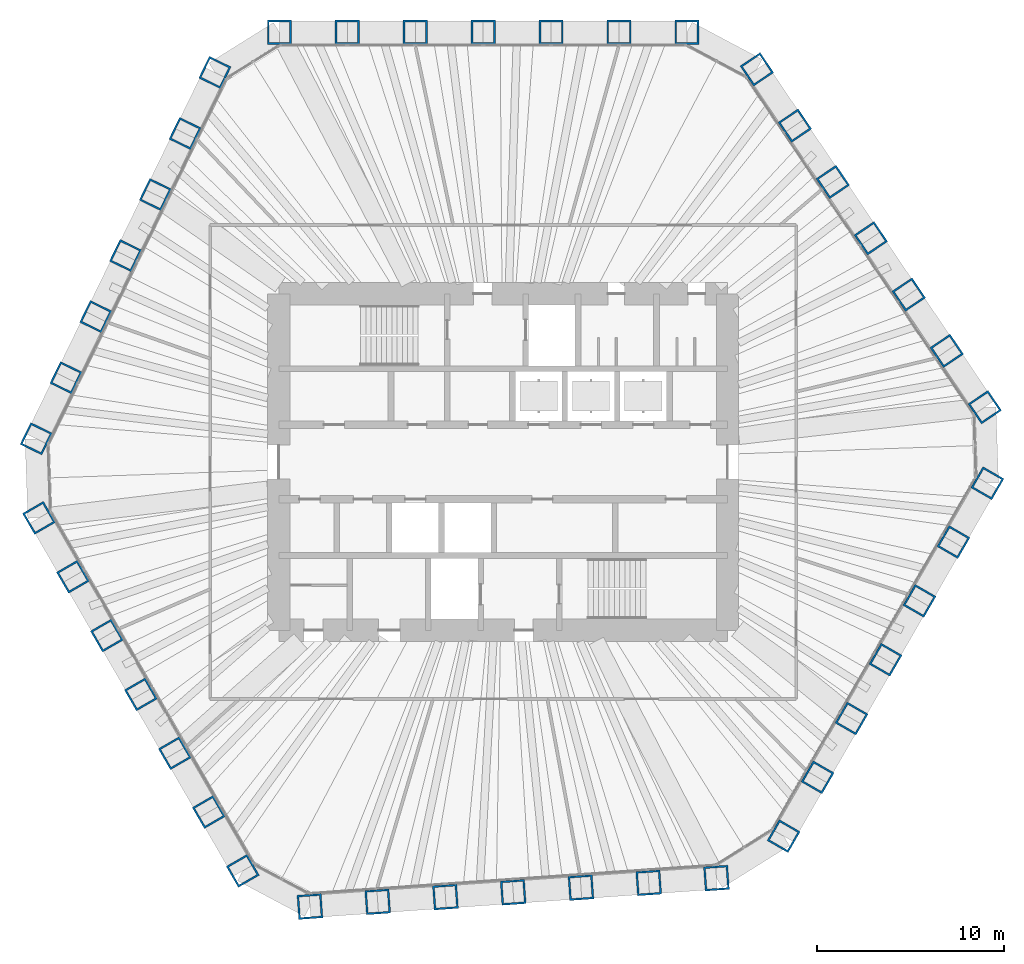
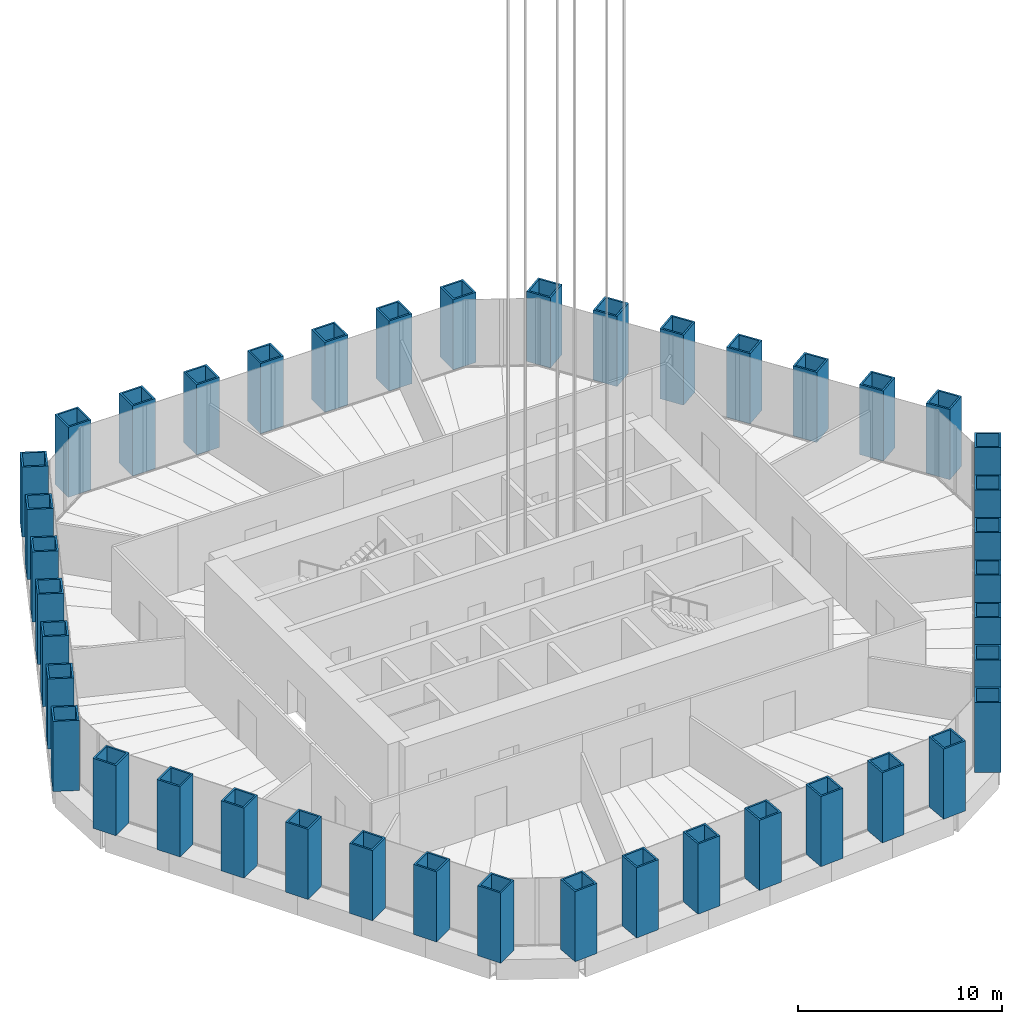
# One storey, part 1 of 20: 42 columns.
"""IFC4 building model written with IfcOpenShell, lengths in metres."""

from ifc_helpers import new_model, si_unit, direction, frame, origin, origin_2d, place, context, subcontext, project, spatial, hollow_rectangle, extrude, material, material_profile, profile_set, type_object, element, save


model = new_model("IFC4")

# Units and contexts
model_context = context("Model", 3, precision=1e-05, world=origin(), true_north=direction((0.0, 1.0)))
body_context = subcontext(model_context, "Body", "Model", "MODEL_VIEW")
ifc_project = project(units=[si_unit("LENGTHUNIT", "METRE"), si_unit("AREAUNIT", "SQUARE_METRE"), si_unit("VOLUMEUNIT", "CUBIC_METRE"), si_unit("PLANEANGLEUNIT", "RADIAN"), si_unit("MASSUNIT", "GRAM", prefix="KILO")], contexts=[model_context])

# Site, building, storey
site_placement = place(None, origin())
site = spatial("IfcSite", under=ifc_project, at=site_placement, CompositionType="ELEMENT")
building_placement = place(site_placement, origin())
building = spatial("IfcBuilding", under=site, at=building_placement, Name="Qingtian Harvest Tower", CompositionType="ELEMENT")
storey_placement = place(building_placement, frame((0.0, 0.0, 180.39990234375)))
storey = spatial("IfcBuildingStorey", under=building, at=storey_placement, Name="L38", CompositionType="ELEMENT", Elevation=180.39990234375)

# Columns
ifc_material = material(Name="Steel SM570MC", Category="steel")
ifc_material_profile = material_profile(ifc_material, hollow_rectangle(XDim=1.300048828125, YDim=1.300048828125, WallThickness=0.10009765625, at=origin_2d()), Name="BOX1300x1300x100")
ifc_profile_set = profile_set([ifc_material_profile], Name="Steel SM570MC")
column_type = type_object("IfcColumnType", Name="Transition tube column TK2 BOX1300x1300x100", PredefinedType="COLUMN", material=ifc_profile_set)
for number, where, z_axis, x_axis, name in (
    (1, (-11.971923828125, 23.0, 0.0), (0.0, 0.0, 1.0), (-1.0, 0.0, 0.0), "Tube column TK2 N0"),
    (2, (-8.33837890625, 23.0, 0.0), (0.0, 0.0, 1.0), (-1.0, 0.0, 0.0), "Tube column TK2 N1"),
    (3, (-4.704833984375, 23.0, 0.0), (0.0, 0.0, 1.0), (-1.0, 0.0, 0.0), "Tube column TK2 N2"),
    (4, (-1.0712890625, 23.0, 0.0), (0.0, 0.0, 1.0), (-1.0, 0.0, 0.0), "Tube column TK2 N3"),
    (5, (2.562255859375, 23.0, 0.0), (0.0, 0.0, 1.0), (-1.0, 0.0, 0.0), "Tube column TK2 N4"),
    (6, (6.19580078125, 23.0, 0.0), (0.0, 0.0, 1.0), (-1.0, 0.0, 0.0), "Tube column TK2 N5"),
    (7, (9.829345703125, 23.0, 0.0), (0.0, 0.0, 1.0), (-1.0, 0.0, 0.0), "Tube column TK2 N6"),
    (8, (13.5712890625, 21.01025390625, 0.0), (0.0, 0.0, 1.0), (-0.559192903471, 0.829037572555, 0.0), "Tube column TK2 NE0"),
    (9, (15.603271484375, 17.998046875, 0.0), (0.0, 0.0, 1.0), (-0.559192903471, 0.829037572555, 0.0), "Tube column TK2 NE1"),
    (10, (17.635009765625, 14.985595703125, 0.0), (0.0, 0.0, 1.0), (-0.559192903471, 0.829037572555, 0.0), "Tube column TK2 NE2"),
    (11, (19.6669921875, 11.97314453125, 0.0), (0.0, 0.0, 1.0), (-0.559192903471, 0.829037572555, 0.0), "Tube column TK2 NE3"),
    (12, (21.69873046875, 8.9609375, 0.0), (0.0, 0.0, 1.0), (-0.559192903471, 0.829037572555, 0.0), "Tube column TK2 NE4"),
    (13, (23.730712890625, 5.948486328125, 0.0), (0.0, 0.0, 1.0), (-0.559192903471, 0.829037572555, 0.0), "Tube column TK2 NE5"),
    (14, (25.762451171875, 2.936279296875, 0.0), (0.0, 0.0, 1.0), (-0.559192903471, 0.829037572555, 0.0), "Tube column TK2 NE6"),
    (15, (25.904541015625, -1.1318359375, 0.0), (0.0, 0.0, 1.0), (0.5, 0.866025403784, 0.0), "Tube column TK2 SE0"),
    (16, (24.087890625, -4.27880859375, 0.0), (0.0, 0.0, 1.0), (0.5, 0.866025403784, 0.0), "Tube column TK2 SE1"),
    (17, (22.27099609375, -7.425537109375, 0.0), (0.0, 0.0, 1.0), (0.5, 0.866025403784, 0.0), "Tube column TK2 SE2"),
    (18, (20.454345703125, -10.572265625, 0.0), (0.0, 0.0, 1.0), (0.5, 0.866025403784, 0.0), "Tube column TK2 SE3"),
    (19, (18.637451171875, -13.718994140625, 0.0), (0.0, 0.0, 1.0), (0.5, 0.866025403784, 0.0), "Tube column TK2 SE4"),
    (20, (16.82080078125, -16.86572265625, 0.0), (0.0, 0.0, 1.0), (0.5, 0.866025403784, 0.0), "Tube column TK2 SE5"),
    (21, (15.00390625, -20.012451171875, 0.0), (0.0, 0.0, 1.0), (0.5, 0.866025403784, 0.0), "Tube column TK2 SE6"),
    (22, (11.40966796875, -22.25830078125, 0.0), (0.0, 0.0, 1.0), (0.99756405026, 0.069756473744, 0.0), "Tube column TK2 S0"),
    (23, (7.78515625, -22.51171875, 0.0), (0.0, 0.0, 1.0), (0.99756405026, 0.069756473744, 0.0), "Tube column TK2 S1"),
    (24, (4.160400390625, -22.76513671875, 0.0), (0.0, 0.0, 1.0), (0.99756405026, 0.069756473744, 0.0), "Tube column TK2 S2"),
    (25, (0.53564453125, -23.018798828125, 0.0), (0.0, 0.0, 1.0), (0.99756405026, 0.069756473744, 0.0), "Tube column TK2 S3"),
    (26, (-3.089111328125, -23.272216796875, 0.0), (0.0, 0.0, 1.0), (0.99756405026, 0.069756473744, 0.0), "Tube column TK2 S4"),
    (27, (-6.713623046875, -23.525634765625, 0.0), (0.0, 0.0, 1.0), (0.99756405026, 0.069756473744, 0.0), "Tube column TK2 S5"),
    (28, (-10.33837890625, -23.779052734375, 0.0), (0.0, 0.0, 1.0), (0.99756405026, 0.069756473744, 0.0), "Tube column TK2 S6"),
    (29, (-13.9326171875, -21.8681640625, 0.0), (0.0, 0.0, 1.0), (0.5, -0.866025403784, 0.0), "Tube column TK2 SW0"),
    (30, (-15.749267578125, -18.72119140625, 0.0), (0.0, 0.0, 1.0), (0.5, -0.866025403784, 0.0), "Tube column TK2 SW1"),
    (31, (-17.566162109375, -15.574462890625, 0.0), (0.0, 0.0, 1.0), (0.5, -0.866025403784, 0.0), "Tube column TK2 SW2"),
    (32, (-19.3828125, -12.427734375, 0.0), (0.0, 0.0, 1.0), (0.5, -0.866025403784, 0.0), "Tube column TK2 SW3"),
    (33, (-21.19970703125, -9.281005859375, 0.0), (0.0, 0.0, 1.0), (0.5, -0.866025403784, 0.0), "Tube column TK2 SW4"),
    (34, (-23.016357421875, -6.13427734375, 0.0), (0.0, 0.0, 1.0), (0.5, -0.866025403784, 0.0), "Tube column TK2 SW5"),
    (35, (-24.833251953125, -2.987548828125, 0.0), (0.0, 0.0, 1.0), (0.5, -0.866025403784, 0.0), "Tube column TK2 SW6"),
    (36, (-24.981201171875, 1.248046875, 0.0), (0.0, 0.0, 1.0), (-0.438371146789, -0.898794046299, 0.0), "Tube column TK2 NW0"),
    (37, (-23.388427734375, 4.513916015625, 0.0), (0.0, 0.0, 1.0), (-0.438371146789, -0.898794046299, 0.0), "Tube column TK2 NW1"),
    (38, (-21.79541015625, 7.779541015625, 0.0), (0.0, 0.0, 1.0), (-0.438371146789, -0.898794046299, 0.0), "Tube column TK2 NW2"),
    (39, (-20.20263671875, 11.04541015625, 0.0), (0.0, 0.0, 1.0), (-0.438371146789, -0.898794046299, 0.0), "Tube column TK2 NW3"),
    (40, (-18.60986328125, 14.311279296875, 0.0), (0.0, 0.0, 1.0), (-0.438371146789, -0.898794046299, 0.0), "Tube column TK2 NW4"),
    (41, (-17.016845703125, 17.5771484375, 0.0), (0.0, 0.0, 1.0), (-0.438371146789, -0.898794046299, 0.0), "Tube column TK2 NW5"),
    (42, (-15.424072265625, 20.8427734375, 0.0), (0.0, 0.0, 1.0), (-0.438371146789, -0.898794046299, 0.0), "Tube column TK2 NW6"),
):
    element("IfcColumn", number, at=place(storey_placement, frame(where, z_axis=z_axis, x_axis=x_axis)), inside=storey, type_object=column_type, Name=name, PredefinedType="COLUMN", context=body_context, shape_type="SweptSolid", body=[
        extrude(hollow_rectangle(XDim=1.300048828125, YDim=1.300048828125, WallThickness=0.10009765625, at=origin_2d()), origin(), (0.0, 0.0, 1.0), 4.2001953125),
    ])

save(model, "model.ifc")
